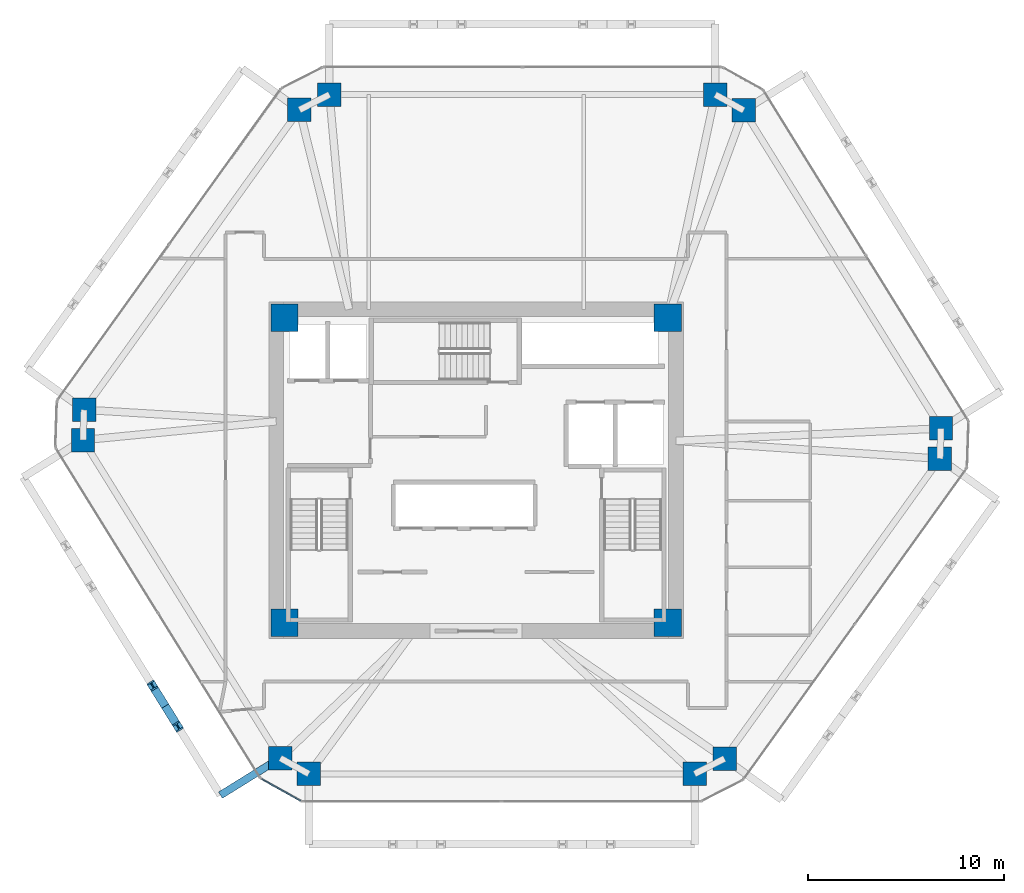
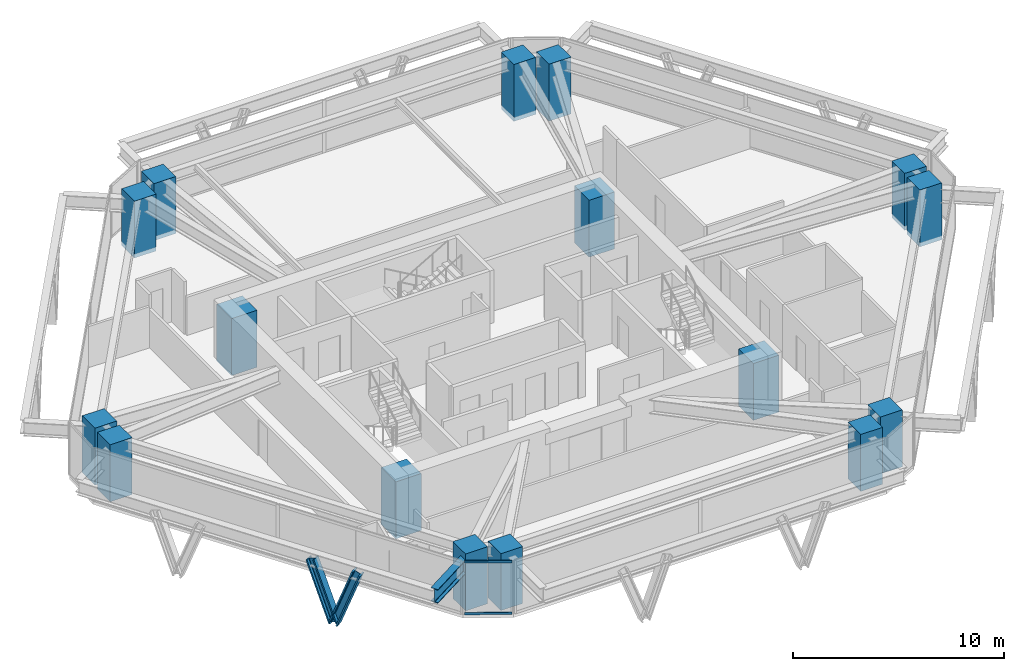
# One storey, part 1 of 13: 16 columns, 4 members, 1 beam, 1 element without a shape of its own.
"""IFC4 building model written with IfcOpenShell, lengths in metres."""

import ifcopenshell
import ifcopenshell.guid

model = None  # the IFC model being written
_history = None  # IfcOwnerHistory: only IFC2X3 demands one
_inside = {}  # id of a spatial element -> (the spatial element, [elements in it])
_under = {}  # id of a project, library or spatial element -> (it, [spatial elements below it])
_declared = {}  # id of a project -> (the project, [libraries it declares])
_typed = {}  # id of a type object -> (the type object, [elements of that type])
_made_of = {}  # id of a material, layer set ... -> (it, [elements and type objects made of it])


def new_model(schema):
    """Start an empty IFC model of exactly this schema.

    Asked for "IFC4X3", IfcOpenShell would pick the latest addendum, in which some entities
    have other attributes; the version numbers below select the first issue.
    IFC2X3 requires an IfcOwnerHistory on every rooted entity: one is made here for all.
    """
    global model, _history
    if schema == "IFC4X3":
        model = ifcopenshell.file(schema_version=(4, 3, 0, 0))
    else:
        model = ifcopenshell.file(schema=schema)
    _inside.clear()
    _under.clear()
    _declared.clear()
    _typed.clear()
    _made_of.clear()
    _history = None
    if model.schema == "IFC2X3":
        org = make("IfcOrganization", Name="unknown")
        user = make(
            "IfcPersonAndOrganization",
            ThePerson=make("IfcPerson", FamilyName="unknown"),
            TheOrganization=org,
        )
        app = make(
            "IfcApplication",
            ApplicationDeveloper=org,
            Version="unknown",
            ApplicationFullName="unknown",
            ApplicationIdentifier="unknown",
        )
        _history = make(
            "IfcOwnerHistory",
            OwningUser=user,
            OwningApplication=app,
            ChangeAction="ADDED",
            CreationDate=0,
        )
    return model


def make(cls, **values):
    """One entity of the class cls with the attributes given. An attribute that is None is left unset."""
    return model.create_entity(
        cls, **{name: value for name, value in values.items() if value is not None}
    )


def rooted(cls, **values):
    """An entity with a GlobalId (a new one), such as an element, a storey or a relation."""
    return make(cls, GlobalId=ifcopenshell.guid.new(), OwnerHistory=_history, **values)


def si_unit(unit_type, name, prefix=None):
    """IfcSIUnit, for example si_unit("LENGTHUNIT", "METRE", prefix="MILLI")."""
    return make("IfcSIUnit", UnitType=unit_type, Prefix=prefix, Name=name)


def assignment(units):
    """IfcUnitAssignment: the units of a project."""
    return None if units is None else make("IfcUnitAssignment", Units=units)


def point(xyz):
    """IfcCartesianPoint."""
    return None if xyz is None else make("IfcCartesianPoint", Coordinates=xyz)


def direction(xyz):
    """IfcDirection."""
    return None if xyz is None else make("IfcDirection", DirectionRatios=xyz)


def frame(location, z_axis=None, x_axis=None):
    """IfcAxis2Placement3D, a coordinate frame: its origin and axes. An axis left out is left unset."""
    return make(
        "IfcAxis2Placement3D",
        Location=point(location),
        Axis=direction(z_axis),
        RefDirection=direction(x_axis),
    )


def frame_2d(location, x_axis=None):
    """IfcAxis2Placement2D, a coordinate frame in the plane: its origin and x axis."""
    return make(
        "IfcAxis2Placement2D", Location=point(location), RefDirection=direction(x_axis)
    )


def origin():
    """The frame at (0, 0, 0) with its axes left unset."""
    return frame((0.0, 0.0, 0.0))


def origin_2d():
    """The frame at (0, 0) in the plane with its x axis left unset."""
    return frame_2d((0.0, 0.0))


def place(relative_to, where):
    """IfcLocalPlacement: puts the frame where relative to a parent placement (None: the world)."""
    return make(
        "IfcLocalPlacement", PlacementRelTo=relative_to, RelativePlacement=where
    )


def context(
    kind, dimensions, precision=None, world=None, true_north=None, identifier=None
):
    """IfcGeometricRepresentationContext, for example the 3D "Model" context."""
    return make(
        "IfcGeometricRepresentationContext",
        ContextIdentifier=identifier,
        ContextType=kind,
        CoordinateSpaceDimension=dimensions,
        Precision=precision,
        WorldCoordinateSystem=world,
        TrueNorth=true_north,
    )


def subcontext(parent, identifier, kind, view, scale=None):
    """IfcGeometricRepresentationSubContext, for example "Body" below "Model"."""
    return make(
        "IfcGeometricRepresentationSubContext",
        ContextIdentifier=identifier,
        ContextType=kind,
        ParentContext=parent,
        TargetScale=scale,
        TargetView=view,
    )


def project(units=None, contexts=None):
    """IfcProject with its units and contexts."""
    return rooted(
        "IfcProject",
        Name="project",
        RepresentationContexts=contexts,
        UnitsInContext=assignment(units),
    )


def spatial(cls, under=None, at=None, **own):
    """A site, building, storey or space (cls), placed at a placement, below another one or the project."""
    s = rooted(cls, ObjectPlacement=at, **own)
    if under is not None:
        _under.setdefault(under.id(), (under, []))[1].append(s)
    return s


def profile(cls, at=None, kind="AREA", **sizes):
    """A parametric profile (cls). Its sizes go by their IFC names, for example OverallWidth=200.0."""
    return make(cls, ProfileType=kind, Position=at, **sizes)


def rectangle(**sizes):
    """IfcRectangleProfileDef."""
    return profile("IfcRectangleProfileDef", **sizes)


def i_section(**sizes):
    """IfcIShapeProfileDef."""
    return profile("IfcIShapeProfileDef", **sizes)


def extrude(swept, where, along, depth):
    """IfcExtrudedAreaSolid: the profile swept, set in the frame where, extruded along a direction by depth."""
    return make(
        "IfcExtrudedAreaSolid",
        SweptArea=swept,
        Position=where,
        ExtrudedDirection=direction(along),
        Depth=depth,
    )


def shape(context_of_items, identifier, shape_type, items):
    """IfcShapeRepresentation: the items that make up one representation, for example the "Body"."""
    return make(
        "IfcShapeRepresentation",
        ContextOfItems=context_of_items,
        RepresentationIdentifier=identifier,
        RepresentationType=shape_type,
        Items=items,
    )


def source(mapping_origin, context_of_items, identifier, shape_type, items):
    """IfcRepresentationMap: a shape defined once, which mapped items show again and again."""
    return make(
        "IfcRepresentationMap",
        MappingOrigin=mapping_origin,
        MappedRepresentation=shape(context_of_items, identifier, shape_type, items),
    )


def transform(
    local_origin,
    x_axis=None,
    y_axis=None,
    z_axis=None,
    scale=None,
    scale2=None,
    scale3=None,
    uniform=True,
):
    """IfcCartesianTransformationOperator3D, or its non-uniform kind. x_axis, y_axis, z_axis: its Axis1, 2, 3."""
    if uniform:
        return make(
            "IfcCartesianTransformationOperator3D",
            Axis1=direction(x_axis),
            Axis2=direction(y_axis),
            LocalOrigin=point(local_origin),
            Scale=scale,
            Axis3=direction(z_axis),
        )
    return make(
        "IfcCartesianTransformationOperator3DnonUniform",
        Axis1=direction(x_axis),
        Axis2=direction(y_axis),
        LocalOrigin=point(local_origin),
        Scale=scale,
        Axis3=direction(z_axis),
        Scale2=scale2,
        Scale3=scale3,
    )


def mapped(mapping_source, mapping_target):
    """IfcMappedItem: shows the shape of a source again, moved by a transform."""
    return make(
        "IfcMappedItem", MappingSource=mapping_source, MappingTarget=mapping_target
    )


def material(Name=None, Category=None):
    """IfcMaterial."""
    return make("IfcMaterial", Name=Name, Category=Category)


def layer(
    of_material, thickness, ventilated=None, Name=None, Category=None, Priority=None
):
    """IfcMaterialLayer: one layer of a wall or slab, of a material (None: an air gap)."""
    return make(
        "IfcMaterialLayer",
        Material=of_material,
        LayerThickness=thickness,
        IsVentilated=ventilated,
        Name=Name,
        Category=Category,
        Priority=Priority,
    )


def layer_set(layers, Name=None):
    """IfcMaterialLayerSet."""
    return make("IfcMaterialLayerSet", MaterialLayers=layers, LayerSetName=Name)


def material_profile(
    of_material, cross_section, Name=None, Category=None, Priority=None
):
    """IfcMaterialProfile: a cross section and its material."""
    return make(
        "IfcMaterialProfile",
        Name=Name,
        Material=of_material,
        Profile=cross_section,
        Priority=Priority,
        Category=Category,
    )


def profile_set(profiles, Name=None, composite=None):
    """IfcMaterialProfileSet."""
    return make(
        "IfcMaterialProfileSet",
        Name=Name,
        MaterialProfiles=profiles,
        CompositeProfile=composite,
    )


def made_of(thing, what):
    """Note that an element or type object is made of a material, layer set ...; save() writes the relation."""
    if what is not None:
        _made_of.setdefault(what.id(), (what, []))[1].append(thing)
    return thing


def type_object(cls, material=None, **own):
    """A type object (cls), such as IfcWallType, which elements share."""
    return made_of(rooted(cls, **own), material)


def type_shapes(of_type, sources):
    """Give a type object the sources (RepresentationMaps) that its elements show as mapped items."""
    of_type.RepresentationMaps = sources


def element(
    cls,
    number,
    at=None,
    inside=None,
    cuts=None,
    type_object=None,
    material=None,
    context=None,
    identifier="Body",
    shape_type=None,
    held_by="IfcProductDefinitionShape",
    body=None,
    shapes=None,
    **own,
):
    """One element of the class cls, such as IfcWall. Its Tag is "e" and its number.

    at: its placement. inside: the storey or other place that contains it. cuts: it is an
    opening in that element (IfcRelVoidsElement). A single representation is given by context,
    identifier, shape_type and body (its items); several are given by shapes. held_by: the class
    of the entity that holds the representations. save() writes the other relations.
    """
    e = rooted(cls, Tag="e%d" % number, ObjectPlacement=at, **own)
    if body is not None:
        shapes = [shape(context, identifier, shape_type, body)]
    if shapes is not None:
        e.Representation = make(held_by, Representations=shapes)
    if inside is not None:
        _inside.setdefault(inside.id(), (inside, []))[1].append(e)
    if cuts is not None:
        rooted(
            "IfcRelVoidsElement", RelatingBuildingElement=cuts, RelatedOpeningElement=e
        )
    if type_object is not None:
        _typed.setdefault(type_object.id(), (type_object, []))[1].append(e)
    return made_of(e, material)


def aggregate(whole, parts):
    """IfcRelAggregates: a whole, such as a stair, and the parts it consists of."""
    return rooted("IfcRelAggregates", RelatingObject=whole, RelatedObjects=parts)


def save(model, path):
    """Write the relations noted so far, then the file.

    IfcRelAggregates (storeys below a building ...), IfcRelContainedInSpatialStructure (elements
    in a storey), IfcRelDefinesByType, IfcRelAssociatesMaterial and IfcRelDeclares: one each for
    every whole, place, type object, material and project.
    """
    for whole, parts in _under.values():
        aggregate(whole, parts)
    for where, things in _inside.values():
        rooted(
            "IfcRelContainedInSpatialStructure",
            RelatedElements=things,
            RelatingStructure=where,
        )
    for kind, things in _typed.values():
        rooted("IfcRelDefinesByType", RelatedObjects=things, RelatingType=kind)
    for what, things in _made_of.values():
        rooted("IfcRelAssociatesMaterial", RelatedObjects=things, RelatingMaterial=what)
    for by, libraries in _declared.values():
        rooted("IfcRelDeclares", RelatingContext=by, RelatedDefinitions=libraries)
    model.write(path)


model = new_model("IFC4")

# Units and contexts
model_context = context("Model", 3, precision=1e-05, world=origin(), true_north=direction((0.0, 1.0)))
body_context = subcontext(model_context, "Body", "Model", "MODEL_VIEW")
ifc_project = project(units=[si_unit("LENGTHUNIT", "METRE"), si_unit("AREAUNIT", "SQUARE_METRE"), si_unit("VOLUMEUNIT", "CUBIC_METRE"), si_unit("PLANEANGLEUNIT", "RADIAN"), si_unit("MASSUNIT", "GRAM", prefix="KILO")], contexts=[model_context])

# Site, building, storey
site_placement = place(None, origin())
site = spatial("IfcSite", under=ifc_project, at=site_placement, CompositionType="ELEMENT")
building_placement = place(site_placement, origin())
building = spatial("IfcBuilding", under=site, at=building_placement, Name="Durnholm Broadcast Tower", CompositionType="ELEMENT")
storey_placement = place(building_placement, frame((0.0, 0.0, 100.800048828125)))
storey = spatial("IfcBuildingStorey", under=building, at=storey_placement, Name="L26", CompositionType="ELEMENT", Elevation=100.800048828125)

# Columns
ifc_material_1 = material(Name="Concrete C70/85", Category="concrete")
ifc_material_profile_1 = material_profile(ifc_material_1, rectangle(XDim=1.39990234375, YDim=1.39990234375, at=origin_2d()), Name="RC1400X1400")
ifc_profile_set_1 = profile_set([ifc_material_profile_1], Name="Concrete C70/85")
column_type_1 = type_object("IfcColumnType", Name="COL-CC-1400", PredefinedType="COLUMN", material=ifc_profile_set_1)
shared_shape_1 = source(origin(), body_context, "Body", "SweptSolid", [
    extrude(rectangle(XDim=1.39990234375, YDim=1.39990234375, at=origin_2d()), origin(), (0.0, 0.0, 1.0), 3.300048828125),
])
type_shapes(column_type_1, [shared_shape_1])
for number, where, z_axis, x_axis, name in (
    (1, (-9.800048828125, -7.800048828125, -0.239990234375), (0.0, 0.0, 1.0), (1.0, 0.0, 0.0), "L26 core corner column 1"),
    (2, (9.800048828125, -7.800048828125, -0.239990234375), (0.0, 0.0, 1.0), (1.0, 0.0, 0.0), "L26 core corner column 2"),
    (3, (9.800048828125, 7.800048828125, -0.239990234375), (0.0, 0.0, 1.0), (1.0, 0.0, 0.0), "L26 core corner column 3"),
    (4, (-9.800048828125, 7.800048828125, -0.239990234375), (0.0, 0.0, 1.0), (1.0, 0.0, 0.0), "L26 core corner column 4"),
):
    element("IfcColumn", number, at=place(storey_placement, frame(where, z_axis=z_axis, x_axis=x_axis)), inside=storey, type_object=column_type_1, Name=name, PredefinedType="COLUMN", context=body_context, shape_type="MappedRepresentation", body=[
        mapped(shared_shape_1, transform((0.0, 0.0, 0.0), x_axis=(1.0, 0.0, 0.0), y_axis=(0.0, 1.0, 0.0), z_axis=(0.0, 0.0, 1.0), scale=1.0)),
    ])
ifc_material_profile_2 = material_profile(ifc_material_1, rectangle(XDim=1.199951171875, YDim=1.199951171875, at=origin_2d()), Name="RC1200X1200")
ifc_profile_set_2 = profile_set([ifc_material_profile_2], Name="Concrete C70/85")
column_type_2 = type_object("IfcColumnType", Name="COL-CC-1200", PredefinedType="COLUMN", material=ifc_profile_set_2)
shared_shape_2 = source(origin(), body_context, "Body", "SweptSolid", [
    extrude(rectangle(XDim=1.199951171875, YDim=1.199951171875, at=origin_2d()), origin(), (0.0, 0.0, 1.0), 3.300048828125),
])
type_shapes(column_type_2, [shared_shape_2])
for number, where, z_axis, x_axis, name in (
    (5, (-10.01416015625, -14.723388671875, -0.239990234375), (0.0, 0.0, 1.0), (1.0, 0.0, 0.0), "L26 perimeter hexagonal tube column 01"),
    (6, (-20.102783203125, 1.54150390625, -0.239990234375), (0.0, 0.0, 1.0), (1.0, 0.0, 0.0), "L26 perimeter hexagonal tube column 02"),
    (7, (-20.050048828125, 3.091064453125, -0.239990234375), (0.0, 0.0, 1.0), (1.0, 0.0, 0.0), "L26 perimeter hexagonal tube column 03"),
    (8, (-9.031982421875, 18.42822265625, -0.239990234375), (0.0, 0.0, 1.0), (1.0, 0.0, 0.0), "L26 perimeter hexagonal tube column 04"),
    (9, (-7.498046875, 19.215087890625, -0.239990234375), (0.0, 0.0, 1.0), (1.0, 0.0, 0.0), "L26 perimeter hexagonal tube column 05"),
    (10, (12.22998046875, 19.215087890625, -0.239990234375), (0.0, 0.0, 1.0), (1.0, 0.0, 0.0), "L26 perimeter hexagonal tube column 06"),
    (11, (13.692138671875, 18.4013671875, -0.239990234375), (0.0, 0.0, 1.0), (1.0, 0.0, 0.0), "L26 perimeter hexagonal tube column 07"),
    (12, (23.78076171875, 2.13671875, -0.239990234375), (0.0, 0.0, 1.0), (1.0, 0.0, 0.0), "L26 perimeter hexagonal tube column 08"),
    (13, (23.72802734375, 0.5869140625, -0.239990234375), (0.0, 0.0, 1.0), (1.0, 0.0, 0.0), "L26 perimeter hexagonal tube column 09"),
    (14, (12.7099609375, -14.750244140625, -0.239990234375), (0.0, 0.0, 1.0), (1.0, 0.0, 0.0), "L26 perimeter hexagonal tube column 10"),
    (15, (11.176025390625, -15.537109375, -0.239990234375), (0.0, 0.0, 1.0), (1.0, 0.0, 0.0), "L26 perimeter hexagonal tube column 11"),
    (16, (-8.552001953125, -15.537109375, -0.239990234375), (0.0, 0.0, 1.0), (1.0, 0.0, 0.0), "L26 perimeter hexagonal tube column 12"),
):
    element("IfcColumn", number, at=place(storey_placement, frame(where, z_axis=z_axis, x_axis=x_axis)), inside=storey, type_object=column_type_2, Name=name, PredefinedType="COLUMN", context=body_context, shape_type="MappedRepresentation", body=[
        mapped(shared_shape_2, transform((0.0, 0.0, 0.0), x_axis=(1.0, 0.0, 0.0), y_axis=(0.0, 1.0, 0.0), z_axis=(0.0, 0.0, 1.0), scale=1.0)),
    ])

# Beam
ifc_material_2 = material(Name="Steel ASTM A992 Grade 50", Category="steel")
ifc_material_profile_3 = material_profile(ifc_material_2, i_section(OverallWidth=0.385009765625, OverallDepth=0.802978515625, WebThickness=0.023681640625, FlangeThickness=0.0419921875, FilletRadius=0.032958984375, at=origin_2d()), Name="W30X261")
ifc_profile_set_3 = profile_set([ifc_material_profile_3], Name="Steel ASTM A992 Grade 50")
beam_type = type_object("IfcBeamType", Name="BM-EXO-TIE", PredefinedType="USERDEFINED", material=ifc_profile_set_3)
shared_shape_3 = source(origin(), body_context, "Body", "SweptSolid", [
    extrude(i_section(OverallWidth=0.385009765625, OverallDepth=0.802978515625, WebThickness=0.023681640625, FlangeThickness=0.0419921875, FilletRadius=0.032958984375, at=origin_2d()), origin(), (0.0, 0.0, 1.0), 3.455810546875),
])
type_shapes(beam_type, [shared_shape_3])
beam_placement = place(storey_placement, frame((-10.13671875, -14.79931640625, 2.30859375), z_axis=(-0.849807128357, -0.527093772107, 0.0), x_axis=(0.527093772107, -0.849807128357, 0.0)))
element("IfcBeam", 17, at=beam_placement, inside=storey, type_object=beam_type, Name="L26 exoskeleton stand-off tie bracket F6.2", ObjectType="GIRDER", PredefinedType="USERDEFINED", context=body_context, shape_type="MappedRepresentation", body=[
    mapped(shared_shape_3, transform((0.0, 0.0, 0.0), x_axis=(1.0, 0.0, 0.0), y_axis=(0.0, 1.0, 0.0), z_axis=(0.0, 0.0, 1.0), scale=1.0)),
])

# Members
ifc_material_3 = material(Name="Steel ASTM A913 Grade 65", Category="steel")
ifc_material_profile_4 = material_profile(ifc_material_3, i_section(OverallWidth=0.424072265625, OverallDepth=0.47412109375, WebThickness=0.047607421875, FlangeThickness=0.0771484375, FilletRadius=0.030517578125, at=origin_2d()), Name="W14X426")
ifc_profile_set_4 = profile_set([ifc_material_profile_4], Name="Steel ASTM A913 Grade 65")
member_type_1 = type_object("IfcMemberType", Name="STL-DG-W14X426", PredefinedType="BRACE", material=ifc_profile_set_4)
shared_shape_4 = source(origin(), body_context, "Body", "SweptSolid", [
    extrude(i_section(OverallWidth=0.424072265625, OverallDepth=0.47412109375, WebThickness=0.047607421875, FlangeThickness=0.0771484375, FilletRadius=0.030517578125, at=origin_2d()), origin(), (0.0, 0.0, 1.0), 3.523193359375),
])
type_shapes(member_type_1, [shared_shape_4])
for number, where, z_axis, x_axis, name in (
    (18, (-15.898193359375, -12.066650390625, -0.991455078125), (-0.184606642766, 0.297560406921, 0.936684681032), (-0.849750220063, -0.527185511469, 0.0), "L26 stand-off diagrid brace F6.D2.1"),
    (19, (-15.898193359375, -12.066650390625, -0.991455078125), (0.184602835855, -0.297623566065, 0.936665364961), (0.849805205368, 0.527096872433, 0.0), "L26 stand-off diagrid brace F6.D2.2"),
):
    element("IfcMember", number, at=place(storey_placement, frame(where, z_axis=z_axis, x_axis=x_axis)), inside=storey, type_object=member_type_1, Name=name, PredefinedType="BRACE", context=body_context, shape_type="MappedRepresentation", body=[
        mapped(shared_shape_4, transform((0.0, 0.0, 0.0), x_axis=(1.0, 0.0, 0.0), y_axis=(0.0, 1.0, 0.0), z_axis=(0.0, 0.0, 1.0), scale=1.0)),
    ])

# Curtain wall, members
ifc_material_4 = material(Name="Aluminium and Solar Control IGU", Category="aluminium")
ifc_layer = layer(ifc_material_4, 0.1650390625)
ifc_layer_set = layer_set([ifc_layer], Name="Aluminium and Solar Control IGU")
curtain_wall_type = type_object("IfcCurtainWallType", Name="CW-SYS-5", PredefinedType="NOTDEFINED", material=ifc_layer_set)
curtain_wall_placement = place(storey_placement, origin())
curtain_wall = element("IfcCurtainWall", 20, at=curtain_wall_placement, inside=storey, type_object=curtain_wall_type, Name="L26 curtain wall CW-CORNER CW-L26-CRN-11", PredefinedType="NOTDEFINED")
ifc_material_5 = material(Name="Aluminium 6063-T6", Category="aluminium")
ifc_material_profile_5 = material_profile(ifc_material_5, rectangle(XDim=0.06494140625, YDim=0.1298828125, at=origin_2d()), Name="CWT65X130")
ifc_profile_set_5 = profile_set([ifc_material_profile_5], Name="Aluminium 6063-T6")
member_type_2 = type_object("IfcMemberType", Name="CW-SYS-5-TRN", PredefinedType="USERDEFINED", material=ifc_profile_set_5)
shared_shape_5 = source(origin(), body_context, "Body", "SweptSolid", [
    extrude(rectangle(XDim=0.06494140625, YDim=0.1298828125, at=origin_2d()), origin(), (0.0, 0.0, 1.0), 2.27001953125),
])
type_shapes(member_type_2, [shared_shape_5])
member_1_placement = place(storey_placement, frame((-8.971923828125, -16.9052734375, 0.032470703125), z_axis=(-0.873832405737, 0.486227237703, 0.0), x_axis=(-0.486227237703, -0.873832405737, 0.0)))
member_1 = element("IfcMember", 21, at=member_1_placement, type_object=member_type_2, Name="CW-CORNER transom 1.1", ObjectType="TRANSOM", PredefinedType="USERDEFINED", context=body_context, shape_type="MappedRepresentation", body=[
    mapped(shared_shape_5, transform((0.0, 0.0, 0.0), x_axis=(1.0, 0.0, 0.0), y_axis=(0.0, 1.0, 0.0), z_axis=(0.0, 0.0, 1.0), scale=1.0)),
])
member_2_placement = place(storey_placement, frame((-8.971923828125, -16.9052734375, 3.02734375), z_axis=(-0.873832405737, 0.486227237703, 0.0), x_axis=(-0.486227237703, -0.873832405737, 0.0)))
member_2 = element("IfcMember", 22, at=member_2_placement, type_object=member_type_2, Name="CW-CORNER transom 1.2", ObjectType="TRANSOM", PredefinedType="USERDEFINED", context=body_context, shape_type="MappedRepresentation", body=[
    mapped(shared_shape_5, transform((0.0, 0.0, 0.0), x_axis=(1.0, 0.0, 0.0), y_axis=(0.0, 1.0, 0.0), z_axis=(0.0, 0.0, 1.0), scale=1.0)),
])
aggregate(curtain_wall, [member_1, member_2])

save(model, "model.ifc")
